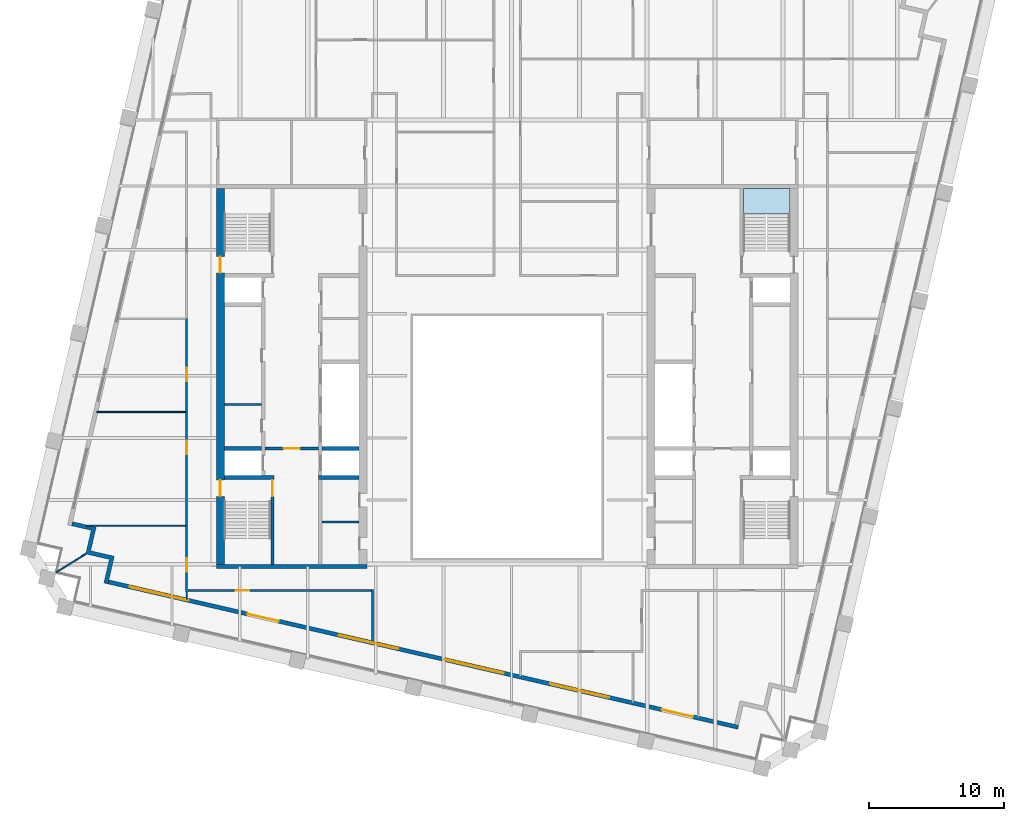
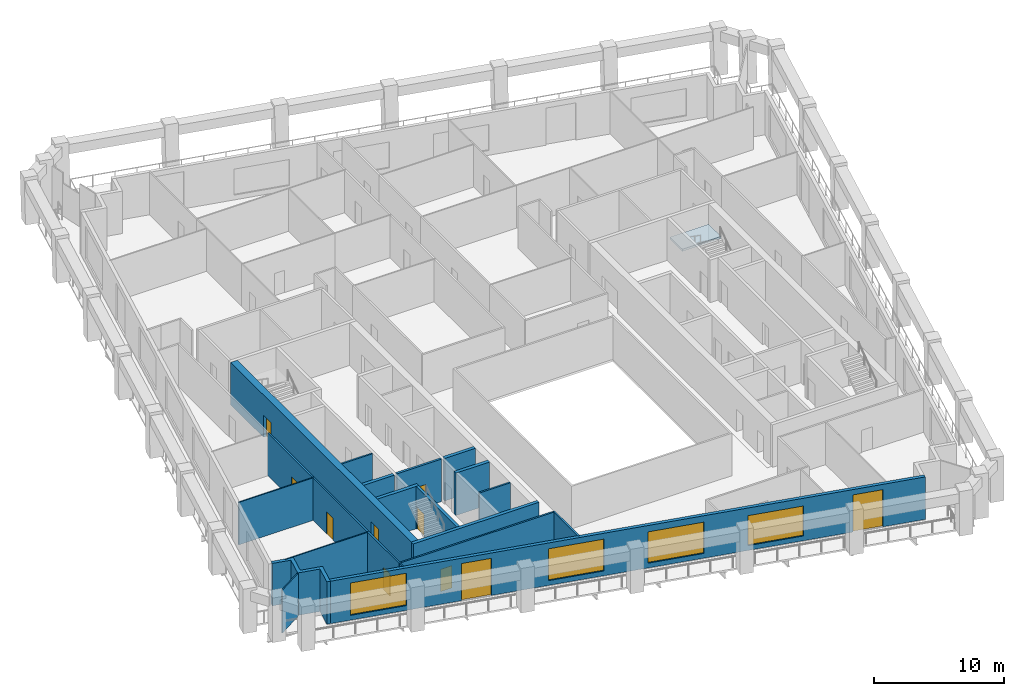
# One storey, part 3 of 10: 21 walls, 10 doors, 4 windows, 1 slab, 14 openings, 1 element without a shape of its own.
"""IFC4 building model written with IfcOpenShell, lengths in metres."""

from ifc_helpers import new_model, si_unit, direction, frame, frame_2d, origin, place, context, subcontext, project, spatial, polyline, rectangle, outline, extrude, material, layer, layer_set, type_object, element, fill, aggregate, save


model = new_model("IFC4")

# Units and contexts
model_context = context("Model", 3, precision=1e-05, world=origin(), true_north=direction((0.0, 1.0)))
body_context = subcontext(model_context, "Body", "Model", "MODEL_VIEW")
ifc_project = project(units=[si_unit("LENGTHUNIT", "METRE"), si_unit("AREAUNIT", "SQUARE_METRE"), si_unit("VOLUMEUNIT", "CUBIC_METRE"), si_unit("PLANEANGLEUNIT", "RADIAN"), si_unit("MASSUNIT", "GRAM", prefix="KILO")], contexts=[model_context])

# Site, building, storey
site_placement = place(None, origin())
site = spatial("IfcSite", under=ifc_project, at=site_placement, CompositionType="ELEMENT")
building_placement = place(site_placement, origin())
building = spatial("IfcBuilding", under=site, at=building_placement, Name="Ogive Exchange Tower", CompositionType="ELEMENT")
storey_placement = place(building_placement, frame((0.0, 0.0, 268.199951171875)))
storey = spatial("IfcBuildingStorey", under=building, at=storey_placement, Name="L58", CompositionType="ELEMENT", Elevation=268.199951171875)

# Stair, slab
ifc_material_1 = material(Name="Concrete C40/50", Category="concrete")
stair_type = type_object("IfcStairType", Name="Exit stair 1650 wide", PredefinedType="HALF_TURN_STAIR", material=ifc_material_1)
stair_placement = place(storey_placement, origin())
stair = element("IfcStair", 1, at=stair_placement, inside=storey, type_object=stair_type, Name="L58 exit stair ST4", PredefinedType="HALF_TURN_STAIR")
ifc_layer_1 = layer(ifc_material_1, 0.199951171875)
ifc_layer_set_1 = layer_set([ifc_layer_1], Name="Stair landing 200 slab")
slab_type = type_object("IfcSlabType", Name="Stair landing 200 slab", PredefinedType="LANDING", material=ifc_layer_set_1)
slab_placement = place(storey_placement, frame((0.0, 0.0, 1.900146484375)))
slab = element("IfcSlab", 2, at=slab_placement, type_object=slab_type, Name="ST4 landing 1", PredefinedType="LANDING", context=body_context, shape_type="SweptSolid", body=[
    extrude(outline(polyline([(21.0, 23.550048828125), (21.0, 25.449951171875), (17.550048828125, 25.449951171875), (17.550048828125, 23.550048828125), (21.0, 23.550048828125)])), origin(), (0.0, 0.0, 1.0), 0.199951171875),
])
aggregate(stair, [slab])

# Walls
ifc_material_2 = material(Name="Gypsum board partition")
ifc_layer_2 = layer(ifc_material_2, 0.14990234375)
ifc_layer_set_2 = layer_set([ifc_layer_2], Name="Core room partition 150 gypsum")
wall_type_1 = type_object("IfcWallType", Name="Core room partition 150 gypsum", PredefinedType="PARTITIONING", material=ifc_layer_set_2)
for number, where, z_axis, x_axis, name in (
    (3, (-21.0, 9.39990234375, 0.0), (0.0, 0.0, 1.0), (1.0, 0.0, 0.0), "W row A bay partition 1-1"),
    (4, (-13.75, 0.699951171875, 0.0), (0.0, 0.0, 1.0), (1.0, 0.0, 0.0), "W south room partition"),
):
    element("IfcWall", number, at=place(storey_placement, frame(where, z_axis=z_axis, x_axis=x_axis)), inside=storey, type_object=wall_type_1, Name=name, PredefinedType="PARTITIONING", context=body_context, shape_type="SweptSolid", body=[
        extrude(rectangle(XDim=2.75, YDim=0.14990234375, at=frame_2d((1.375, 0.0))), origin(), (0.0, 0.0, 1.0), 4.0),
    ])

# Wall, opening, door
ifc_material_3 = material(Name="Fire partition EI 60 150")
ifc_layer_3 = layer(ifc_material_3, 0.14990234375)
ifc_layer_set_3 = layer_set([ifc_layer_3], Name="Fire partition EI 60 150")
wall_type_2 = type_object("IfcWallType", Name="Fire partition EI 60 150", PredefinedType="PARTITIONING", material=ifc_layer_set_3)
wall_1_placement = place(storey_placement, frame((-23.800048828125, -4.47509765625, 0.0), z_axis=(0.0, 0.0, 1.0), x_axis=(0.0, 1.0, 0.0)))
wall_1 = element("IfcWall", 5, at=wall_1_placement, inside=storey, type_object=wall_type_2, Name="L58-PWL-002", PredefinedType="PARTITIONING", context=body_context, shape_type="SweptSolid", body=[
    extrude(rectangle(XDim=4.93505859375, YDim=0.14990234375, at=frame_2d((2.467529296875, 0.0))), origin(), (0.0, 0.0, 1.0), 4.0),
])
opening_1_placement = place(wall_1_placement, frame((1.485107421875, 0.0, 0.0)))
opening_1 = element("IfcOpeningElement", 6, at=opening_1_placement, cuts=wall_1, Name="Opening L58-I25", PredefinedType="OPENING", context=body_context, shape_type="SweptSolid", body=[
    extrude(rectangle(XDim=1.0, YDim=2.10009765625, at=frame_2d((0.5, 1.050048828125))), frame((0.0, 0.0849609375, 0.0), z_axis=(0.0, -1.0, 0.0), x_axis=(1.0, 0.0, 0.0)), (0.0, 0.0, 1.0), 0.169921875),
])
ifc_material_4 = material(Name="Fire door FD 30S 1000 x 2100")
door_type_1 = type_object("IfcDoorType", Name="Fire door FD 30S 1000 x 2100", OperationType="NOTDEFINED", PredefinedType="DOOR", material=ifc_material_4)
door_1_placement = place(opening_1_placement, origin())
door_1 = element("IfcDoor", 7, at=door_1_placement, inside=storey, type_object=door_type_1, Name="L58-IDR-025", ObjectType="DT3", OperationType="SINGLE_SWING_RIGHT", OverallHeight=2.10009765625, OverallWidth=1.0, PredefinedType="DOOR", context=body_context, shape_type="SweptSolid", body=[
    extrude(rectangle(XDim=1.0, YDim=2.10009765625, at=frame_2d((0.5, 1.050048828125))), frame((0.0, 0.02490234375, 0.0), z_axis=(0.0, -1.0, 0.0), x_axis=(1.0, 0.0, 0.0)), (0.0, 0.0, 1.0), 0.050048828125),
])
fill(opening_1, door_1)

wall_2_placement = place(storey_placement, frame((-23.800048828125, 0.409912109375, 0.0), z_axis=(0.0, 0.0, 1.0), x_axis=(0.0, 1.0, 0.0)))
wall_2 = element("IfcWall", 8, at=wall_2_placement, inside=storey, type_object=wall_type_2, Name="L58-PWL-004", PredefinedType="PARTITIONING", context=body_context, shape_type="SweptSolid", body=[
    extrude(rectangle(XDim=8.5, YDim=0.14990234375, at=frame_2d((4.25, 0.0))), origin(), (0.0, 0.0, 1.0), 4.0),
])
opening_2_placement = place(wall_2_placement, frame((5.300048828125, 0.0, 0.0)))
opening_2 = element("IfcOpeningElement", 9, at=opening_2_placement, cuts=wall_2, Name="Opening L58-I24", PredefinedType="OPENING", context=body_context, shape_type="SweptSolid", body=[
    extrude(rectangle(XDim=1.0, YDim=2.10009765625, at=frame_2d((0.5, 1.050048828125))), frame((0.0, 0.0849609375, 0.0), z_axis=(0.0, -1.0, 0.0), x_axis=(1.0, 0.0, 0.0)), (0.0, 0.0, 1.0), 0.169921875),
])
door_2_placement = place(opening_2_placement, origin())
door_2 = element("IfcDoor", 10, at=door_2_placement, inside=storey, type_object=door_type_1, Name="L58-IDR-024", ObjectType="DT3", OperationType="SINGLE_SWING_LEFT", OverallHeight=2.10009765625, OverallWidth=1.0, PredefinedType="DOOR", context=body_context, shape_type="SweptSolid", body=[
    extrude(rectangle(XDim=1.0, YDim=2.10009765625, at=frame_2d((0.5, 1.050048828125))), frame((0.0, 0.02490234375, 0.0), z_axis=(0.0, -1.0, 0.0), x_axis=(1.0, 0.0, 0.0)), (0.0, 0.0, 1.0), 0.050048828125),
])
fill(opening_2, door_2)

wall_3_placement = place(storey_placement, frame((-23.800048828125, 8.909912109375, 0.0), z_axis=(0.0, 0.0, 1.0), x_axis=(0.0, 1.0, 0.0)))
wall_3 = element("IfcWall", 11, at=wall_3_placement, inside=storey, type_object=wall_type_2, Name="L58-PWL-006", PredefinedType="PARTITIONING", context=body_context, shape_type="SweptSolid", body=[
    extrude(rectangle(XDim=6.880126953125, YDim=0.14990234375, at=frame_2d((3.43994140625, 0.0))), origin(), (0.0, 0.0, 1.0), 4.0),
])
opening_3_placement = place(wall_3_placement, frame((2.22998046875, 0.0, 0.0)))
opening_3 = element("IfcOpeningElement", 12, at=opening_3_placement, cuts=wall_3, Name="Opening L58-I23", PredefinedType="OPENING", context=body_context, shape_type="SweptSolid", body=[
    extrude(rectangle(XDim=1.0, YDim=2.10009765625, at=frame_2d((0.5, 1.050048828125))), frame((0.0, 0.0849609375, 0.0), z_axis=(0.0, -1.0, 0.0), x_axis=(1.0, 0.0, 0.0)), (0.0, 0.0, 1.0), 0.169921875),
])
door_3_placement = place(opening_3_placement, origin())
door_3 = element("IfcDoor", 13, at=door_3_placement, inside=storey, type_object=door_type_1, Name="L58-IDR-023", ObjectType="DT3", OperationType="SINGLE_SWING_RIGHT", OverallHeight=2.10009765625, OverallWidth=1.0, PredefinedType="DOOR", context=body_context, shape_type="SweptSolid", body=[
    extrude(rectangle(XDim=1.0, YDim=2.10009765625, at=frame_2d((0.5, 1.050048828125))), frame((0.0, 0.02490234375, 0.0), z_axis=(0.0, -1.0, 0.0), x_axis=(1.0, 0.0, 0.0)), (0.0, 0.0, 1.0), 0.050048828125),
])
fill(opening_3, door_3)

# Wall
wall_4_placement = place(storey_placement, frame((-10.0, -8.216064453125, 0.0), z_axis=(0.0, 0.0, 1.0), x_axis=(0.0, 1.0, 0.0)))
element("IfcWall", 14, at=wall_4_placement, inside=storey, type_object=wall_type_2, Name="L58-PWL-020", PredefinedType="PARTITIONING", context=body_context, shape_type="SweptSolid", body=[
    extrude(rectangle(XDim=3.89111328125, YDim=0.14990234375, at=frame_2d((1.945556640625, 0.0))), origin(), (0.0, 0.0, 1.0), 4.0),
])

# Wall, opening, door
wall_5_placement = place(storey_placement, frame((-10.074951171875, -4.39990234375, 0.0), z_axis=(0.0, 0.0, 1.0), x_axis=(-1.0, 0.0, 0.0)))
wall_5 = element("IfcWall", 15, at=wall_5_placement, inside=storey, type_object=wall_type_2, Name="L58-PWL-021", PredefinedType="PARTITIONING", context=body_context, shape_type="SweptSolid", body=[
    extrude(rectangle(XDim=13.64013671875, YDim=0.14990234375, at=frame_2d((6.820068359375, 0.0))), origin(), (0.0, 0.0, 1.0), 4.0),
])
opening_4_placement = place(wall_5_placement, frame((9.06494140625, 0.0, 0.0)))
opening_4 = element("IfcOpeningElement", 16, at=opening_4_placement, cuts=wall_5, Name="Opening L58-I14", PredefinedType="OPENING", context=body_context, shape_type="SweptSolid", body=[
    extrude(rectangle(XDim=1.0, YDim=2.10009765625, at=frame_2d((0.5, 1.050048828125))), frame((0.0, 0.0849609375, 0.0), z_axis=(0.0, -1.0, 0.0), x_axis=(1.0, 0.0, 0.0)), (0.0, 0.0, 1.0), 0.169921875),
])
door_4_placement = place(opening_4_placement, origin())
door_4 = element("IfcDoor", 17, at=door_4_placement, inside=storey, type_object=door_type_1, Name="L58-IDR-014", ObjectType="DT3", OperationType="SINGLE_SWING_LEFT", OverallHeight=2.10009765625, OverallWidth=1.0, PredefinedType="DOOR", context=body_context, shape_type="SweptSolid", body=[
    extrude(rectangle(XDim=1.0, YDim=2.10009765625, at=frame_2d((0.5, 1.050048828125))), frame((0.0, 0.02490234375, 0.0), z_axis=(0.0, -1.0, 0.0), x_axis=(1.0, 0.0, 0.0)), (0.0, 0.0, 1.0), 0.050048828125),
])
fill(opening_4, door_4)

# Wall, openings, doors, windows
ifc_material_5 = material(Name="Precast concrete C40/50", Category="concrete")
ifc_layer_4 = layer(ifc_material_5, 0.300048828125)
ifc_layer_set_4 = layer_set([ifc_layer_4], Name="Limestone-faced wall 300")
wall_type_3 = type_object("IfcWallType", Name="Limestone-faced wall 300", PredefinedType="STANDARD", material=ifc_layer_set_4)
wall_6_placement = place(storey_placement, frame((-29.6162109375, -3.75830078125, 0.0), z_axis=(0.0, 0.0, 1.0), x_axis=(0.974370532314, -0.224949029246, 0.0)))
wall_6 = element("IfcWall", 18, at=wall_6_placement, inside=storey, type_object=wall_type_3, Name="External wall S1", PredefinedType="STANDARD", context=body_context, shape_type="SweptSolid", body=[
    extrude(rectangle(XDim=48.000244140625, YDim=0.300048828125, at=frame_2d((24.0, 0.0))), origin(), (0.0, 0.0, 1.0), 4.0),
])
opening_5_placement = place(wall_6_placement, frame((1.625, 0.0, 0.449951171875)))
opening_5 = element("IfcOpeningElement", 19, at=opening_5_placement, cuts=wall_6, Name="Opening W1", PredefinedType="OPENING", context=body_context, shape_type="SweptSolid", body=[
    extrude(rectangle(XDim=4.5, YDim=3.050048828125, at=frame_2d((2.25, 1.52490234375))), frame((0.0, 0.159912109375, 0.0), z_axis=(0.0, -1.0, 0.0), x_axis=(1.0, 0.0, 0.0)), (0.0, 0.0, 1.0), 0.320068359375),
])
opening_6_placement = place(wall_6_placement, frame((10.574951171875, 0.0, 0.0)))
opening_6 = element("IfcOpeningElement", 20, at=opening_6_placement, cuts=wall_6, Name="Opening D1", PredefinedType="OPENING", context=body_context, shape_type="SweptSolid", body=[
    extrude(rectangle(XDim=2.39990234375, YDim=3.5, at=frame_2d((1.199951171875, 1.75))), frame((0.0, 0.159912109375, 0.0), z_axis=(0.0, -1.0, 0.0), x_axis=(1.0, 0.0, 0.0)), (0.0, 0.0, 1.0), 0.320068359375),
])
opening_7_placement = place(wall_6_placement, frame((17.574951171875, 0.0, 0.449951171875)))
opening_7 = element("IfcOpeningElement", 21, at=opening_7_placement, cuts=wall_6, Name="Opening W1A", PredefinedType="OPENING", context=body_context, shape_type="SweptSolid", body=[
    extrude(rectangle(XDim=4.5, YDim=3.0, at=frame_2d((2.25, 1.5))), frame((0.0, 0.159912109375, 0.0), z_axis=(0.0, -1.0, 0.0), x_axis=(1.0, 0.0, 0.0)), (0.0, 0.0, 1.0), 0.320068359375),
])
opening_8_placement = place(wall_6_placement, frame((25.625, 0.0, 0.449951171875)))
opening_8 = element("IfcOpeningElement", 22, at=opening_8_placement, cuts=wall_6, Name="Opening W1B", PredefinedType="OPENING", context=body_context, shape_type="SweptSolid", body=[
    extrude(rectangle(XDim=4.5, YDim=2.949951171875, at=frame_2d((2.25, 1.47509765625))), frame((0.0, 0.159912109375, 0.0), z_axis=(0.0, -1.0, 0.0), x_axis=(1.0, 0.0, 0.0)), (0.0, 0.0, 1.0), 0.320068359375),
])
opening_9_placement = place(wall_6_placement, frame((33.675048828125, 0.0, 0.449951171875)))
opening_9 = element("IfcOpeningElement", 23, at=opening_9_placement, cuts=wall_6, Name="Opening W1E", PredefinedType="OPENING", context=body_context, shape_type="SweptSolid", body=[
    extrude(rectangle(XDim=4.5, YDim=2.824951171875, at=frame_2d((2.25, 1.41259765625))), frame((0.0, 0.159912109375, 0.0), z_axis=(0.0, -1.0, 0.0), x_axis=(1.0, 0.0, 0.0)), (0.0, 0.0, 1.0), 0.320068359375),
])
opening_10_placement = place(wall_6_placement, frame((42.175048828125, 0.0, 0.0)))
opening_10 = element("IfcOpeningElement", 24, at=opening_10_placement, cuts=wall_6, Name="Opening D1", PredefinedType="OPENING", context=body_context, shape_type="SweptSolid", body=[
    extrude(rectangle(XDim=2.39990234375, YDim=3.5, at=frame_2d((1.199951171875, 1.75))), frame((0.0, 0.159912109375, 0.0), z_axis=(0.0, -1.0, 0.0), x_axis=(1.0, 0.0, 0.0)), (0.0, 0.0, 1.0), 0.320068359375),
])
ifc_material_6 = material(Name="Clear glass in bronze frame", Category="glass")
door_type_2 = type_object("IfcDoorType", Name="Sliding loggia door 2400 x 3500", OperationType="DOUBLE_DOOR_SLIDING", PredefinedType="DOOR", material=ifc_material_6)
door_5_placement = place(opening_6_placement, origin())
door_5 = element("IfcDoor", 25, at=door_5_placement, inside=storey, type_object=door_type_2, Name="Loggia door S01", OperationType="DOUBLE_DOOR_SLIDING", OverallHeight=3.5, OverallWidth=2.39990234375, PredefinedType="DOOR", context=body_context, shape_type="SweptSolid", body=[
    extrude(rectangle(XDim=2.39990234375, YDim=3.5, at=frame_2d((1.199951171875, 1.75))), frame((0.0, 0.02490234375, 0.0), z_axis=(0.0, -1.0, 0.0), x_axis=(1.0, 0.0, 0.0)), (0.0, 0.0, 1.0), 0.050048828125),
])
fill(opening_6, door_5)
door_6_placement = place(opening_10_placement, origin())
door_6 = element("IfcDoor", 26, at=door_6_placement, inside=storey, type_object=door_type_2, Name="Loggia door S05", OperationType="DOUBLE_DOOR_SLIDING", OverallHeight=3.5, OverallWidth=2.39990234375, PredefinedType="DOOR", context=body_context, shape_type="SweptSolid", body=[
    extrude(rectangle(XDim=2.39990234375, YDim=3.5, at=frame_2d((1.199951171875, 1.75))), frame((0.0, 0.02490234375, 0.0), z_axis=(0.0, -1.0, 0.0), x_axis=(1.0, 0.0, 0.0)), (0.0, 0.0, 1.0), 0.050048828125),
])
fill(opening_10, door_6)
window_type_1 = type_object("IfcWindowType", Name="Twin lancet window 4500 x 2825", PartitioningType="DOUBLE_PANEL_VERTICAL", PredefinedType="WINDOW", material=ifc_material_6)
window_1_placement = place(opening_9_placement, origin())
window_1 = element("IfcWindow", 27, at=window_1_placement, inside=storey, type_object=window_type_1, Name="Window S04", OverallHeight=2.824951171875, OverallWidth=4.5, PartitioningType="DOUBLE_PANEL_VERTICAL", PredefinedType="WINDOW", context=body_context, shape_type="SweptSolid", body=[
    extrude(rectangle(XDim=4.5, YDim=2.824951171875, at=frame_2d((2.25, 1.41259765625))), frame((0.0, 0.030029296875, 0.0), z_axis=(0.0, -1.0, 0.0), x_axis=(1.0, 0.0, 0.0)), (0.0, 0.0, 1.0), 0.06005859375),
])
fill(opening_9, window_1)
window_type_2 = type_object("IfcWindowType", Name="Twin lancet window 4500 x 2950", PartitioningType="DOUBLE_PANEL_VERTICAL", PredefinedType="WINDOW", material=ifc_material_6)
window_2_placement = place(opening_8_placement, origin())
window_2 = element("IfcWindow", 28, at=window_2_placement, inside=storey, type_object=window_type_2, Name="Window S03", OverallHeight=2.949951171875, OverallWidth=4.5, PartitioningType="DOUBLE_PANEL_VERTICAL", PredefinedType="WINDOW", context=body_context, shape_type="SweptSolid", body=[
    extrude(rectangle(XDim=4.5, YDim=2.949951171875, at=frame_2d((2.25, 1.47509765625))), frame((0.0, 0.030029296875, 0.0), z_axis=(0.0, -1.0, 0.0), x_axis=(1.0, 0.0, 0.0)), (0.0, 0.0, 1.0), 0.06005859375),
])
fill(opening_8, window_2)
window_type_3 = type_object("IfcWindowType", Name="Twin lancet window 4500 x 3000", PartitioningType="DOUBLE_PANEL_VERTICAL", PredefinedType="WINDOW", material=ifc_material_6)
window_3_placement = place(opening_7_placement, origin())
window_3 = element("IfcWindow", 29, at=window_3_placement, inside=storey, type_object=window_type_3, Name="Window S02", OverallHeight=3.0, OverallWidth=4.5, PartitioningType="DOUBLE_PANEL_VERTICAL", PredefinedType="WINDOW", context=body_context, shape_type="SweptSolid", body=[
    extrude(rectangle(XDim=4.5, YDim=3.0, at=frame_2d((2.25, 1.5))), frame((0.0, 0.030029296875, 0.0), z_axis=(0.0, -1.0, 0.0), x_axis=(1.0, 0.0, 0.0)), (0.0, 0.0, 1.0), 0.06005859375),
])
fill(opening_7, window_3)
window_type_4 = type_object("IfcWindowType", Name="Twin lancet window 4500 x 3050", PartitioningType="DOUBLE_PANEL_VERTICAL", PredefinedType="WINDOW", material=ifc_material_6)
window_4_placement = place(opening_5_placement, origin())
window_4 = element("IfcWindow", 30, at=window_4_placement, inside=storey, type_object=window_type_4, Name="Window S00", OverallHeight=3.050048828125, OverallWidth=4.5, PartitioningType="DOUBLE_PANEL_VERTICAL", PredefinedType="WINDOW", context=body_context, shape_type="SweptSolid", body=[
    extrude(rectangle(XDim=4.5, YDim=3.050048828125, at=frame_2d((2.25, 1.52490234375))), frame((0.0, 0.030029296875, 0.0), z_axis=(0.0, -1.0, 0.0), x_axis=(1.0, 0.0, 0.0)), (0.0, 0.0, 1.0), 0.06005859375),
])
fill(opening_5, window_4)

# Walls
wall_7_placement = place(storey_placement, origin())
element("IfcWall", 31, at=wall_7_placement, inside=storey, type_object=wall_type_3, Name="External corner wall C4", PredefinedType="STANDARD", context=body_context, shape_type="SweptSolid", body=[
    extrude(outline(polyline([(-31.291015625, -1.67822265625), (-30.88623046875, 0.07568359375), (-32.34765625, 0.4130859375), (-32.2802734375, 0.705322265625), (-30.5263671875, 0.300537109375), (-30.931396484375, -1.453369140625), (-29.177490234375, -1.8583984375), (-29.64990234375, -3.904541015625), (-29.942138671875, -3.8369140625), (-29.537109375, -2.0830078125), (-31.291015625, -1.67822265625)])), origin(), (0.0, 0.0, 1.0), 4.0),
])
ifc_material_7 = material(Name="Laminated safety glass in steel frame", Category="steel")
ifc_layer_5 = layer(ifc_material_7, 0.10009765625)
ifc_layer_set_5 = layer_set([ifc_layer_5], Name="Loggia end screen 100")
wall_type_4 = type_object("IfcWallType", Name="Loggia end screen 100", PredefinedType="STANDARD", material=ifc_layer_set_5)
wall_8_placement = place(storey_placement, frame((-31.291015625, -1.67822265625, -0.050048828125), z_axis=(0.0, 0.0, 1.0), x_axis=(-0.84807753525, -0.529872148923, 0.0)))
element("IfcWall", 32, at=wall_8_placement, inside=storey, type_object=wall_type_4, Name="Loggia end screen C4", PredefinedType="STANDARD", context=body_context, shape_type="SweptSolid", body=[
    extrude(rectangle(XDim=2.596435546875, YDim=0.10009765625, at=frame_2d((1.29833984375, 0.0))), origin(), (0.0, 0.0, 1.0), 4.050048828125),
])
ifc_material_8 = material(Name="Partition 100 gypsum")
ifc_layer_6 = layer(ifc_material_8, 0.10009765625)
ifc_layer_set_6 = layer_set([ifc_layer_6], Name="Partition 100 gypsum")
wall_type_5 = type_object("IfcWallType", Name="Partition 100 gypsum", PredefinedType="PARTITIONING", material=ifc_layer_set_6)
wall_9_placement = place(storey_placement, frame((-23.875, 0.409912109375, 0.0), z_axis=(0.0, 0.0, 1.0), x_axis=(-1.0, 0.0, 0.0)))
element("IfcWall", 33, at=wall_9_placement, inside=storey, type_object=wall_type_5, Name="L58-PWL-003", PredefinedType="PARTITIONING", context=body_context, shape_type="SweptSolid", body=[
    extrude(rectangle(XDim=7.3701171875, YDim=0.10009765625, at=frame_2d((3.68505859375, 0.0))), origin(), (0.0, 0.0, 1.0), 4.0),
])
wall_10_placement = place(storey_placement, frame((-23.875, 8.860107421875, 0.0), z_axis=(0.0, 0.0, 1.0), x_axis=(-1.0, 0.0, 0.0)))
element("IfcWall", 34, at=wall_10_placement, inside=storey, type_object=wall_type_5, Name="L58-PWL-005", PredefinedType="PARTITIONING", context=body_context, shape_type="SweptSolid", body=[
    extrude(rectangle(XDim=6.60498046875, YDim=0.10009765625, at=frame_2d((3.302490234375, 0.0))), origin(), (0.0, 0.0, 1.0), 4.0),
])
wall_11_placement = place(storey_placement, frame((-23.7900390625, -5.031982421875, 0.0), z_axis=(0.0, 0.0, 1.0), x_axis=(0.0, 1.0, 0.0)))
element("IfcWall", 35, at=wall_11_placement, inside=storey, type_object=wall_type_5, Name="L58-PWL-011", PredefinedType="PARTITIONING", context=body_context, shape_type="SweptSolid", body=[
    extrude(rectangle(XDim=0.556884765625, YDim=0.10009765625, at=frame_2d((0.2783203125, 0.0))), origin(), (0.0, 0.0, 1.0), 4.0),
])

# Wall, opening, door
ifc_material_9 = material(Name="Concrete C70/85", Category="concrete")
ifc_layer_7 = layer(ifc_material_9, 0.199951171875)
ifc_layer_set_7 = layer_set([ifc_layer_7], Name="RC core wall 200 C70/85")
wall_type_6 = type_object("IfcWallType", Name="RC core wall 200 C70/85", PredefinedType="SHEAR", material=ifc_layer_set_7)
wall_12_placement = place(storey_placement, frame((-18.0, 6.142822265625, 0.0), z_axis=(0.0, 0.0, 1.0), x_axis=(1.0, 0.0, 0.0)))
wall_12 = element("IfcWall", 36, at=wall_12_placement, inside=storey, type_object=wall_type_6, Name="W firefighting lobby wall", PredefinedType="SHEAR", context=body_context, shape_type="SweptSolid", body=[
    extrude(rectangle(XDim=4.0, YDim=0.199951171875, at=frame_2d((2.0, 0.0))), origin(), (0.0, 0.0, 1.0), 4.0),
])
opening_11_placement = place(wall_12_placement, frame((1.39990234375, 0.0, 0.0)))
opening_11 = element("IfcOpeningElement", 37, at=opening_11_placement, cuts=wall_12, Name="Opening L58-C11", PredefinedType="OPENING", context=body_context, shape_type="SweptSolid", body=[
    extrude(rectangle(XDim=1.199951171875, YDim=2.10009765625, at=frame_2d((0.60009765625, 1.050048828125))), frame((0.0, 0.10986328125, 0.0), z_axis=(0.0, -1.0, 0.0), x_axis=(1.0, 0.0, 0.0)), (0.0, 0.0, 1.0), 0.219970703125),
])
ifc_material_10 = material(Name="Steel fire door", Category="steel")
door_type_3 = type_object("IfcDoorType", Name="Firefighting lobby door FD60 1200 x 2100", OperationType="NOTDEFINED", PredefinedType="DOOR", material=ifc_material_10)
door_7_placement = place(opening_11_placement, frame((1.199951171875, 0.0, 0.0), z_axis=(0.0, 0.0, 1.0), x_axis=(-1.0, 0.0, 0.0)))
door_7 = element("IfcDoor", 38, at=door_7_placement, inside=storey, type_object=door_type_3, Name="Firefighting lobby door", ObjectType="CD3", OperationType="SINGLE_SWING_LEFT", OverallHeight=2.10009765625, OverallWidth=1.199951171875, PredefinedType="DOOR", context=body_context, shape_type="SweptSolid", body=[
    extrude(rectangle(XDim=1.199951171875, YDim=2.10009765625, at=frame_2d((0.60009765625, 1.050048828125))), frame((0.0, 0.02490234375, 0.0), z_axis=(0.0, -1.0, 0.0), x_axis=(1.0, 0.0, 0.0)), (0.0, 0.0, 1.0), 0.050048828125),
])
fill(opening_11, door_7)

ifc_layer_8 = layer(ifc_material_9, 0.25)
ifc_layer_set_8 = layer_set([ifc_layer_8], Name="RC core wall 250 C70/85")
wall_type_7 = type_object("IfcWallType", Name="RC core wall 250 C70/85", PredefinedType="SHEAR", material=ifc_layer_set_8)
wall_13_placement = place(storey_placement, frame((-17.425048828125, -2.449951171875, 0.0), z_axis=(0.0, 0.0, 1.0), x_axis=(0.0, 1.0, 0.0)))
wall_13 = element("IfcWall", 39, at=wall_13_placement, inside=storey, type_object=wall_type_7, Name="W stair S front wall", PredefinedType="SHEAR", context=body_context, shape_type="SweptSolid", body=[
    extrude(rectangle(XDim=6.300048828125, YDim=0.25, at=frame_2d((3.14990234375, 0.0))), origin(), (0.0, 0.0, 1.0), 4.0),
])
opening_12_placement = place(wall_13_placement, frame((5.050048828125, 0.0, 0.0)))
opening_12 = element("IfcOpeningElement", 40, at=opening_12_placement, cuts=wall_13, Name="Opening L58-C13", PredefinedType="OPENING", context=body_context, shape_type="SweptSolid", body=[
    extrude(rectangle(XDim=1.199951171875, YDim=2.10009765625, at=frame_2d((0.60009765625, 1.050048828125))), frame((0.0, 0.135009765625, 0.0), z_axis=(0.0, -1.0, 0.0), x_axis=(1.0, 0.0, 0.0)), (0.0, 0.0, 1.0), 0.27001953125),
])
door_type_4 = type_object("IfcDoorType", Name="Stair door FD90 1200 x 2100", OperationType="NOTDEFINED", PredefinedType="DOOR", material=ifc_material_10)
door_8_placement = place(opening_12_placement, origin())
door_8 = element("IfcDoor", 41, at=door_8_placement, inside=storey, type_object=door_type_4, Name="Stair door", ObjectType="CD5", OperationType="SINGLE_SWING_LEFT", OverallHeight=2.10009765625, OverallWidth=1.199951171875, PredefinedType="DOOR", context=body_context, shape_type="SweptSolid", body=[
    extrude(rectangle(XDim=1.199951171875, YDim=2.10009765625, at=frame_2d((0.60009765625, 1.050048828125))), frame((0.0, 0.02490234375, 0.0), z_axis=(0.0, -1.0, 0.0), x_axis=(1.0, 0.0, 0.0)), (0.0, 0.0, 1.0), 0.050048828125),
])
fill(opening_12, door_8)

# Walls
ifc_layer_9 = layer(ifc_material_9, 0.300048828125)
ifc_layer_set_9 = layer_set([ifc_layer_9], Name="RC core wall 300 C70/85")
wall_type_8 = type_object("IfcWallType", Name="RC core wall 300 C70/85", PredefinedType="SHEAR", material=ifc_layer_set_9)
wall_14_placement = place(storey_placement, frame((-21.60009765625, -2.60009765625, 0.0), z_axis=(0.0, 0.0, 1.0), x_axis=(1.0, 0.0, 0.0)))
element("IfcWall", 42, at=wall_14_placement, inside=storey, type_object=wall_type_8, Name="W south end wall", PredefinedType="SHEAR", context=body_context, shape_type="SweptSolid", body=[
    extrude(rectangle(XDim=11.2001953125, YDim=0.300048828125, at=frame_2d((5.60009765625, 0.0))), origin(), (0.0, 0.0, 1.0), 4.0),
])
wall_15_placement = place(storey_placement, frame((-21.0, 4.0, 0.0), z_axis=(0.0, 0.0, 1.0), x_axis=(1.0, 0.0, 0.0)))
element("IfcWall", 43, at=wall_15_placement, inside=storey, type_object=wall_type_8, Name="W stair S north wall", PredefinedType="SHEAR", context=body_context, shape_type="SweptSolid", body=[
    extrude(rectangle(XDim=3.699951171875, YDim=0.300048828125, at=frame_2d((1.85009765625, 0.0))), origin(), (0.0, 0.0, 1.0), 4.0),
])
wall_16_placement = place(storey_placement, frame((-21.0, 6.142822265625, 0.0), z_axis=(0.0, 0.0, 1.0), x_axis=(1.0, 0.0, 0.0)))
element("IfcWall", 44, at=wall_16_placement, inside=storey, type_object=wall_type_8, Name="W row A divider 1", PredefinedType="SHEAR", context=body_context, shape_type="SweptSolid", body=[
    extrude(rectangle(XDim=2.75, YDim=0.300048828125, at=frame_2d((1.375, 0.0))), origin(), (0.0, 0.0, 1.0), 4.0),
])
wall_17_placement = place(storey_placement, frame((-14.0, 4.0, 0.0), z_axis=(0.0, 0.0, 1.0), x_axis=(1.0, 0.0, 0.0)))
element("IfcWall", 45, at=wall_17_placement, inside=storey, type_object=wall_type_8, Name="W row B divider 0", PredefinedType="SHEAR", context=body_context, shape_type="SweptSolid", body=[
    extrude(rectangle(XDim=3.0, YDim=0.300048828125, at=frame_2d((1.5, 0.0))), origin(), (0.0, 0.0, 1.0), 4.0),
])
wall_18_placement = place(storey_placement, frame((-13.75, 6.142822265625, 0.0), z_axis=(0.0, 0.0, 1.0), x_axis=(1.0, 0.0, 0.0)))
element("IfcWall", 46, at=wall_18_placement, inside=storey, type_object=wall_type_8, Name="W row B divider 1", PredefinedType="SHEAR", context=body_context, shape_type="SweptSolid", body=[
    extrude(rectangle(XDim=2.75, YDim=0.300048828125, at=frame_2d((1.375, 0.0))), origin(), (0.0, 0.0, 1.0), 4.0),
])

# Wall, openings, doors
ifc_layer_10 = layer(ifc_material_9, 0.60009765625)
ifc_layer_set_10 = layer_set([ifc_layer_10], Name="RC core wall 600 C70/85")
wall_type_9 = type_object("IfcWallType", Name="RC core wall 600 C70/85", PredefinedType="SHEAR", material=ifc_layer_set_10)
wall_19_placement = place(storey_placement, frame((-21.300048828125, -2.449951171875, 0.0), z_axis=(0.0, 0.0, 1.0), x_axis=(0.0, 1.0, 0.0)))
wall_19 = element("IfcWall", 47, at=wall_19_placement, inside=storey, type_object=wall_type_9, Name="W outer wall", PredefinedType="SHEAR", context=body_context, shape_type="SweptSolid", body=[
    extrude(rectangle(XDim=27.89990234375, YDim=0.60009765625, at=frame_2d((13.949951171875, 0.0))), origin(), (0.0, 0.0, 1.0), 4.0),
])
opening_13_placement = place(wall_19_placement, frame((5.050048828125, 0.0, 0.0)))
opening_13 = element("IfcOpeningElement", 48, at=opening_13_placement, cuts=wall_19, Name="Opening L58-C14", PredefinedType="OPENING", context=body_context, shape_type="SweptSolid", body=[
    extrude(rectangle(XDim=1.199951171875, YDim=2.10009765625, at=frame_2d((0.60009765625, 1.050048828125))), frame((0.0, 0.31005859375, 0.0), z_axis=(0.0, -1.0, 0.0), x_axis=(1.0, 0.0, 0.0)), (0.0, 0.0, 1.0), 0.6201171875),
])
opening_14_placement = place(wall_19_placement, frame((21.64990234375, 0.0, 0.0)))
opening_14 = element("IfcOpeningElement", 49, at=opening_14_placement, cuts=wall_19, Name="Opening L58-C16", PredefinedType="OPENING", context=body_context, shape_type="SweptSolid", body=[
    extrude(rectangle(XDim=1.199951171875, YDim=2.10009765625, at=frame_2d((0.60009765625, 1.050048828125))), frame((0.0, 0.31005859375, 0.0), z_axis=(0.0, -1.0, 0.0), x_axis=(1.0, 0.0, 0.0)), (0.0, 0.0, 1.0), 0.6201171875),
])
door_9_placement = place(opening_13_placement, origin())
door_9 = element("IfcDoor", 50, at=door_9_placement, inside=storey, type_object=door_type_4, Name="Stair door", ObjectType="CD5", OperationType="SINGLE_SWING_LEFT", OverallHeight=2.10009765625, OverallWidth=1.199951171875, PredefinedType="DOOR", context=body_context, shape_type="SweptSolid", body=[
    extrude(rectangle(XDim=1.199951171875, YDim=2.10009765625, at=frame_2d((0.60009765625, 1.050048828125))), frame((0.0, 0.02490234375, 0.0), z_axis=(0.0, -1.0, 0.0), x_axis=(1.0, 0.0, 0.0)), (0.0, 0.0, 1.0), 0.050048828125),
])
fill(opening_13, door_9)
door_10_placement = place(opening_14_placement, origin())
door_10 = element("IfcDoor", 51, at=door_10_placement, inside=storey, type_object=door_type_4, Name="Stair door", ObjectType="CD5", OperationType="SINGLE_SWING_LEFT", OverallHeight=2.10009765625, OverallWidth=1.199951171875, PredefinedType="DOOR", context=body_context, shape_type="SweptSolid", body=[
    extrude(rectangle(XDim=1.199951171875, YDim=2.10009765625, at=frame_2d((0.60009765625, 1.050048828125))), frame((0.0, 0.02490234375, 0.0), z_axis=(0.0, -1.0, 0.0), x_axis=(1.0, 0.0, 0.0)), (0.0, 0.0, 1.0), 0.050048828125),
])
fill(opening_14, door_10)

save(model, "model.ifc")
